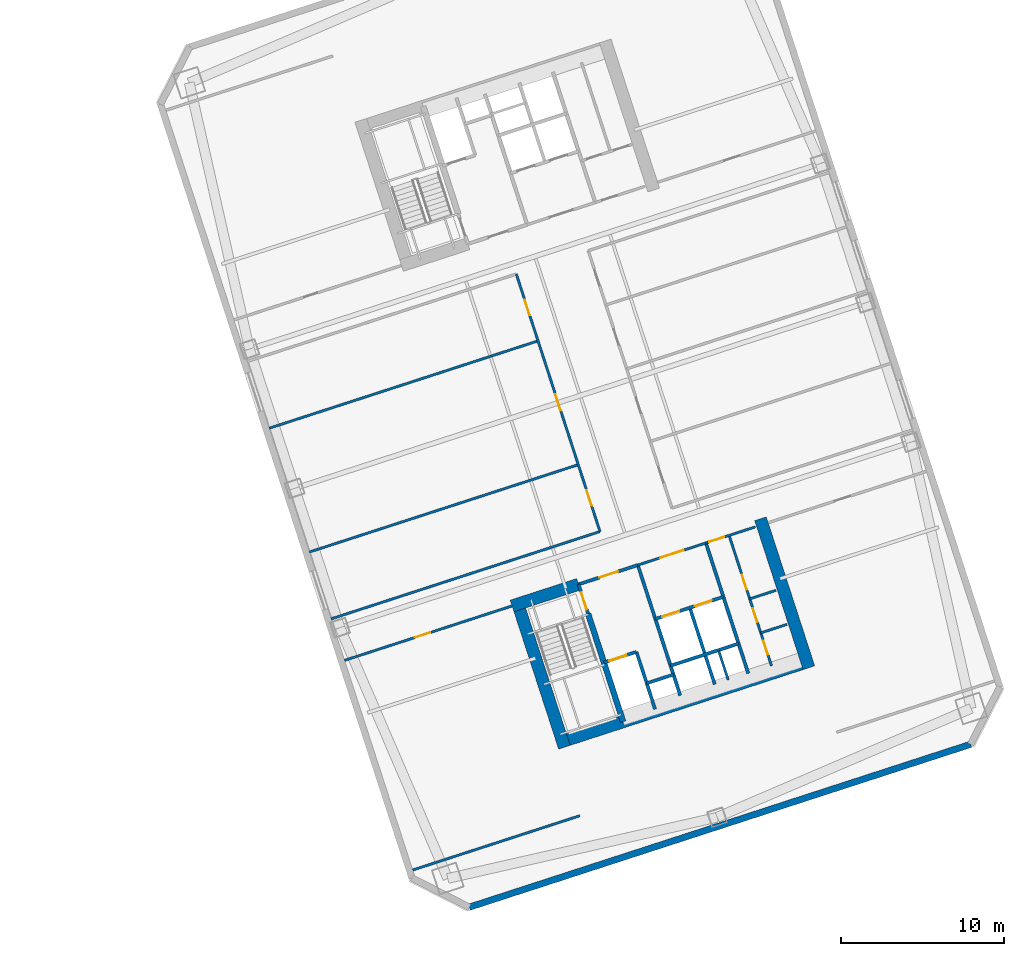
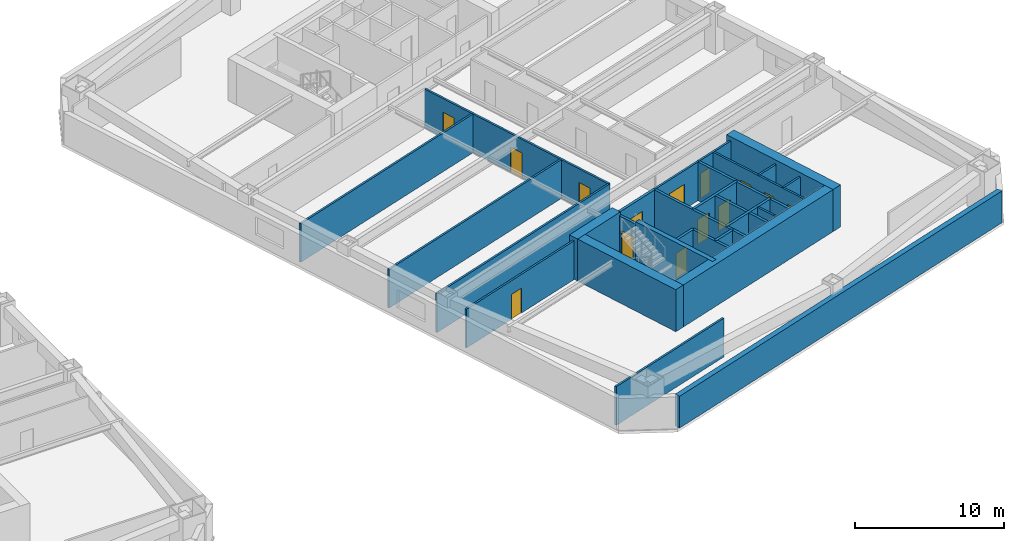
# One storey, part 7 of 11: 28 walls, 14 doors, 14 openings.
"""IFC4 building model written with IfcOpenShell, lengths in metres."""

from ifc_helpers import new_model, si_unit, direction, frame, frame_2d, origin, place, context, subcontext, project, spatial, rectangle, extrude, material, layer, layer_set, type_object, element, fill, save


model = new_model("IFC4")

# Units and contexts
model_context = context("Model", 3, precision=1e-05, world=origin(), true_north=direction((0.0, 1.0)))
body_context = subcontext(model_context, "Body", "Model", "MODEL_VIEW")
ifc_project = project(units=[si_unit("LENGTHUNIT", "METRE"), si_unit("AREAUNIT", "SQUARE_METRE"), si_unit("VOLUMEUNIT", "CUBIC_METRE"), si_unit("PLANEANGLEUNIT", "RADIAN"), si_unit("MASSUNIT", "GRAM", prefix="KILO")], contexts=[model_context])

# Site, building, storey
site_placement = place(None, origin())
site = spatial("IfcSite", under=ifc_project, at=site_placement, CompositionType="ELEMENT")
building_placement = place(site_placement, origin())
building = spatial("IfcBuilding", under=site, at=building_placement, Name="Qiaolan Cultural Towers", CompositionType="ELEMENT")
storey_placement = place(building_placement, frame((0.0, 0.0, 64.39990234375)))
storey = spatial("IfcBuildingStorey", under=building, at=storey_placement, Name="L15", CompositionType="ELEMENT", Elevation=64.39990234375)

# Walls
ifc_material_1 = material(Name="Concrete C50", Category="concrete")
ifc_layer_1 = layer(ifc_material_1, 0.35009765625)
ifc_layer_set_1 = layer_set([ifc_layer_1], Name="Concrete C50")
wall_type_1 = type_object("IfcWallType", Name="WL-CORE-350", PredefinedType="SHEAR", material=ifc_layer_set_1)
wall_1_placement = place(storey_placement, frame((90.486328125, 20.59423828125, 0.0), z_axis=(0.0, 0.0, 1.0), x_axis=(0.309020428229, -0.951055400562, 0.0)))
element("IfcWall", 1, at=wall_1_placement, inside=storey, type_object=wall_type_1, Name="L15 T2-CS Stair Core Dividing Web", PredefinedType="SHEAR", context=body_context, shape_type="SweptSolid", body=[
    extrude(rectangle(XDim=6.97998046875, YDim=0.35009765625, at=frame_2d((3.489990234375, 0.0))), origin(), (0.0, 0.0, 1.0), 3.4501953125),
])
ifc_material_2 = material(Name="Concrete C60", Category="concrete")
ifc_layer_2 = layer(ifc_material_2, 0.75)
ifc_layer_set_2 = layer_set([ifc_layer_2], Name="Concrete C60")
wall_type_2 = type_object("IfcWallType", Name="WL-CORE-750", PredefinedType="SHEAR", material=ifc_layer_set_2)
wall_2_placement = place(storey_placement, frame((88.55859375, 12.628662109375, 0.0), z_axis=(0.0, 0.0, 1.0), x_axis=(0.951056072937, 0.309018358888, 0.0)))
element("IfcWall", 2, at=wall_2_placement, inside=storey, type_object=wall_type_2, Name="L15 T2-CS Outer Core Shear Wall", PredefinedType="SHEAR", context=body_context, shape_type="SweptSolid", body=[
    extrude(rectangle(XDim=16.550048828125, YDim=0.75, at=frame_2d((8.27490234375, 0.0))), origin(), (0.0, 0.0, 1.0), 3.4501953125),
])
wall_3_placement = place(storey_placement, frame((86.05517578125, 21.54638671875, 0.0), z_axis=(0.0, 0.0, 1.0), x_axis=(0.309023585745, -0.951054374604, 0.0)))
element("IfcWall", 3, at=wall_3_placement, inside=storey, type_object=wall_type_2, Name="L15 T2-CS West Core Shear Wall", PredefinedType="SHEAR", context=body_context, shape_type="SweptSolid", body=[
    extrude(rectangle(XDim=9.6298828125, YDim=0.75, at=frame_2d((4.81494140625, 0.0))), origin(), (0.0, 0.0, 1.0), 3.4501953125),
])
wall_4_placement = place(storey_placement, frame((101.08203125, 26.428955078125, 0.0), z_axis=(0.0, 0.0, 1.0), x_axis=(0.309016134813, -0.951056795583, 0.0)))
element("IfcWall", 4, at=wall_4_placement, inside=storey, type_object=wall_type_2, Name="L15 T2-CS East Core Shear Wall", PredefinedType="SHEAR", context=body_context, shape_type="SweptSolid", body=[
    extrude(rectangle(XDim=9.630126953125, YDim=0.75, at=frame_2d((4.81494140625, 0.0))), origin(), (0.0, 0.0, 1.0), 3.4501953125),
])
wall_5_placement = place(storey_placement, frame((85.814453125, 21.073974609375, 0.0), z_axis=(0.0, 0.0, 1.0), x_axis=(0.95106580992, 0.308988390074, 0.0)))
element("IfcWall", 5, at=wall_5_placement, inside=storey, type_object=wall_type_2, Name="L15 T2-CS Stair Front Shear Wall", PredefinedType="SHEAR", context=body_context, shape_type="SweptSolid", body=[
    extrude(rectangle(XDim=4.295166015625, YDim=0.75, at=frame_2d((2.1474609375, 0.0))), origin(), (0.0, 0.0, 1.0), 3.4501953125),
])
ifc_material_3 = material(Name="Precast Concrete C50 Honed Stone Pier", Category="masonry")
ifc_layer_3 = layer(ifc_material_3, 0.39990234375)
ifc_layer_set_3 = layer_set([ifc_layer_3], Name="Precast Concrete C50 Honed Stone Pier")
wall_type_3 = type_object("IfcWallType", Name="WL-EXT-PIER-400", PredefinedType="SOLIDWALL", material=ifc_layer_set_3)
wall_6_placement = place(storey_placement, frame((113.997802734375, 12.566650390625, 0.0), z_axis=(0.0, 0.0, 1.0), x_axis=(-0.951055939317, -0.309018770125, 0.0)))
element("IfcWall", 6, at=wall_6_placement, inside=storey, type_object=wall_type_3, Name="L15 East Tower Precast Pier Facade Wall F7", PredefinedType="SOLIDWALL", context=body_context, shape_type="SweptSolid", body=[
    extrude(rectangle(XDim=32.39990234375, YDim=0.39990234375, at=frame_2d((16.199951171875, 0.0))), origin(), (0.0, 0.0, 1.0), 2.610107421875),
])

# Wall, opening, door
ifc_material_4 = material(Name="Concrete C35 Fire Wall", Category="concrete")
ifc_layer_4 = layer(ifc_material_4, 0.199951171875)
ifc_layer_set_4 = layer_set([ifc_layer_4], Name="Concrete C35 Fire Wall")
wall_type_4 = type_object("IfcWallType", Name="WL-FIRE-200", PredefinedType="PARTITIONING", material=ifc_layer_set_4)
wall_7_placement = place(storey_placement, frame((89.8994140625, 22.401123046875, 0.0), z_axis=(0.0, 0.0, 1.0), x_axis=(0.308932062672, -0.951084108086, 0.0)))
wall_7 = element("IfcWall", 7, at=wall_7_placement, inside=storey, type_object=wall_type_4, Name="L15 T2-CS Smokeproof Stair Entry Wall", PredefinedType="PARTITIONING", context=body_context, shape_type="SweptSolid", body=[
    extrude(rectangle(XDim=1.89990234375, YDim=0.199951171875, at=frame_2d((0.949951171875, 0.0))), origin(), (0.0, 0.0, 1.0), 3.175048828125),
])
opening_1_placement = place(wall_7_placement, frame((0.52001953125, 0.0, 0.0)))
opening_1 = element("IfcOpeningElement", 8, at=opening_1_placement, cuts=wall_7, Name="Opening FD-04", PredefinedType="OPENING", context=body_context, shape_type="SweptSolid", body=[
    extrude(rectangle(XDim=1.10009765625, YDim=2.050048828125, at=frame_2d((0.550048828125, 1.02490234375))), frame((0.0, 0.10986328125, 0.0), z_axis=(0.0, -1.0, 0.0), x_axis=(1.0, 0.0, 0.0)), (0.0, 0.0, 1.0), 0.219970703125),
])
ifc_material_5 = material(Name="Galvanized Steel Command Fire Door", Category="steel")
door_type_1 = type_object("IfcDoorType", Name="DR-FD90-1100", OperationType="NOTDEFINED", PredefinedType="DOOR", material=ifc_material_5)
door_1_placement = place(opening_1_placement, origin())
door_1 = element("IfcDoor", 9, at=door_1_placement, inside=storey, type_object=door_type_1, Name="L15 ST-E1 Smokeproof Stair Fire Door", OperationType="SINGLE_SWING_LEFT", OverallHeight=2.050048828125, OverallWidth=1.10009765625, PredefinedType="DOOR", context=body_context, shape_type="SweptSolid", body=[
    extrude(rectangle(XDim=1.10009765625, YDim=2.050048828125, at=frame_2d((0.550048828125, 1.02490234375))), frame((0.0, 0.02490234375, 0.0), z_axis=(0.0, -1.0, 0.0), x_axis=(1.0, 0.0, 0.0)), (0.0, 0.0, 1.0), 0.050048828125),
])
fill(opening_1, door_1)

# Wall
wall_8_placement = place(storey_placement, frame((93.541748046875, 23.584716796875, 0.0), z_axis=(0.0, 0.0, 1.0), x_axis=(0.309042196757, -0.951048327176, 0.0)))
element("IfcWall", 10, at=wall_8_placement, inside=storey, type_object=wall_type_4, Name="L15 T2-CS Firefighting Zone Wall", PredefinedType="PARTITIONING", context=body_context, shape_type="SweptSolid", body=[
    extrude(rectangle(XDim=8.429931640625, YDim=0.199951171875, at=frame_2d((4.21484375, 0.0))), origin(), (0.0, 0.0, 1.0), 3.175048828125),
])

# Wall, opening, door
wall_9_placement = place(storey_placement, frame((89.8994140625, 22.401123046875, 0.0), z_axis=(0.0, 0.0, 1.0), x_axis=(0.951046716504, 0.309047153403, 0.0)))
wall_9 = element("IfcWall", 11, at=wall_9_placement, inside=storey, type_object=wall_type_4, Name="L15 T2-CS Firefighting Lobby Front Wall", PredefinedType="PARTITIONING", context=body_context, shape_type="SweptSolid", body=[
    extrude(rectangle(XDim=3.829833984375, YDim=0.199951171875, at=frame_2d((1.9150390625, 0.0))), origin(), (0.0, 0.0, 1.0), 3.175048828125),
])
opening_2_placement = place(wall_9_placement, frame((1.35009765625, 0.0, 0.0)))
opening_2 = element("IfcOpeningElement", 12, at=opening_2_placement, cuts=wall_9, Name="Opening FD-03", PredefinedType="OPENING", context=body_context, shape_type="SweptSolid", body=[
    extrude(rectangle(XDim=1.199951171875, YDim=2.050048828125, at=frame_2d((0.60009765625, 1.02490234375))), frame((0.0, 0.10986328125, 0.0), z_axis=(0.0, -1.0, 0.0), x_axis=(1.0, 0.0, 0.0)), (0.0, 0.0, 1.0), 0.219970703125),
])
ifc_material_6 = material(Name="Galvanized Steel Smokeproof Lobby Fire Door", Category="steel")
door_type_2 = type_object("IfcDoorType", Name="DR-FD90-1200", OperationType="NOTDEFINED", PredefinedType="DOOR", material=ifc_material_6)
door_2_placement = place(opening_2_placement, origin())
door_2 = element("IfcDoor", 13, at=door_2_placement, inside=storey, type_object=door_type_2, Name="L15 FFL-E1 Firefighting Lobby Fire Door", OperationType="SINGLE_SWING_LEFT", OverallHeight=2.050048828125, OverallWidth=1.199951171875, PredefinedType="DOOR", context=body_context, shape_type="SweptSolid", body=[
    extrude(rectangle(XDim=1.199951171875, YDim=2.050048828125, at=frame_2d((0.60009765625, 1.02490234375))), frame((0.0, 0.02490234375, 0.0), z_axis=(0.0, -1.0, 0.0), x_axis=(1.0, 0.0, 0.0)), (0.0, 0.0, 1.0), 0.050048828125),
])
fill(opening_2, door_2)

wall_10_placement = place(storey_placement, frame((91.459716796875, 17.598388671875, 0.0), z_axis=(0.0, 0.0, 1.0), x_axis=(0.951062257173, 0.308999325213, 0.0)))
wall_10 = element("IfcWall", 14, at=wall_10_placement, inside=storey, type_object=wall_type_4, Name="L15 T2-CS Firefighting Shaft Front Wall", PredefinedType="PARTITIONING", context=body_context, shape_type="SweptSolid", body=[
    extrude(rectangle(XDim=2.10009765625, YDim=0.199951171875, at=frame_2d((1.050048828125, 0.0))), origin(), (0.0, 0.0, 1.0), 3.175048828125),
])
opening_3_placement = place(wall_10_placement, frame((0.35009765625, 0.0, 0.0)))
opening_3 = element("IfcOpeningElement", 15, at=opening_3_placement, cuts=wall_10, Name="Opening LD-01", PredefinedType="OPENING", context=body_context, shape_type="SweptSolid", body=[
    extrude(rectangle(XDim=1.10009765625, YDim=2.050048828125, at=frame_2d((0.550048828125, 1.02490234375))), frame((0.0, 0.10986328125, 0.0), z_axis=(0.0, -1.0, 0.0), x_axis=(1.0, 0.0, 0.0)), (0.0, 0.0, 1.0), 0.219970703125),
])
ifc_material_7 = material(Name="Brushed Stainless Steel S30408 Centre-Parting Lift Landing Door", Category="steel")
door_type_3 = type_object("IfcDoorType", Name="DR-LIFT-1100", OperationType="NOTDEFINED", PredefinedType="DOOR", material=ifc_material_7)
door_3_placement = place(opening_3_placement, origin())
door_3 = element("IfcDoor", 16, at=door_3_placement, inside=storey, type_object=door_type_3, Name="L15 FFL-E1 Firefighting Lift Landing Door", OperationType="DOUBLE_DOOR_SLIDING", OverallHeight=2.050048828125, OverallWidth=1.10009765625, PredefinedType="DOOR", context=body_context, shape_type="SweptSolid", body=[
    extrude(rectangle(XDim=1.10009765625, YDim=2.050048828125, at=frame_2d((0.550048828125, 1.02490234375))), frame((0.0, 0.02490234375, 0.0), z_axis=(0.0, -1.0, 0.0), x_axis=(1.0, 0.0, 0.0)), (0.0, 0.0, 1.0), 0.050048828125),
])
fill(opening_3, door_3)

# Walls
wall_11_placement = place(storey_placement, frame((93.45703125, 18.247314453125, 0.0), z_axis=(0.0, 0.0, 1.0), x_axis=(0.3089935693, -0.951064127245, 0.0)))
element("IfcWall", 17, at=wall_11_placement, inside=storey, type_object=wall_type_4, Name="L15 T2-CS Firefighting Hoistway East Wall", PredefinedType="PARTITIONING", context=body_context, shape_type="SweptSolid", body=[
    extrude(rectangle(XDim=3.7001953125, YDim=0.199951171875, at=frame_2d((1.85009765625, 0.0))), origin(), (0.0, 0.0, 1.0), 3.175048828125),
])
wall_12_placement = place(storey_placement, frame((94.08447265625, 16.316650390625, 0.0), z_axis=(0.0, 0.0, 1.0), x_axis=(0.951041328149, 0.309063734775, 0.0)))
element("IfcWall", 18, at=wall_12_placement, inside=storey, type_object=wall_type_4, Name="L15 T2-CS Pressurization Shaft Front Wall", PredefinedType="PARTITIONING", context=body_context, shape_type="SweptSolid", body=[
    extrude(rectangle(XDim=1.72998046875, YDim=0.199951171875, at=frame_2d((0.864990234375, 0.0))), origin(), (0.0, 0.0, 1.0), 3.175048828125),
])
wall_13_placement = place(storey_placement, frame((97.7265625, 24.9443359375, 0.0), z_axis=(0.0, 0.0, 1.0), x_axis=(0.309016001439, -0.951056838919, 0.0)))
element("IfcWall", 19, at=wall_13_placement, inside=storey, type_object=wall_type_4, Name="L15 T2-CS Lift Core East Wall", PredefinedType="PARTITIONING", context=body_context, shape_type="SweptSolid", body=[
    extrude(rectangle(XDim=8.429931640625, YDim=0.199951171875, at=frame_2d((4.21484375, 0.0))), origin(), (0.0, 0.0, 1.0), 3.175048828125),
])

# Wall, openings, doors
wall_14_placement = place(storey_placement, frame((94.6171875, 20.275146484375, 0.0), z_axis=(0.0, 0.0, 1.0), x_axis=(0.951058531764, 0.30901079133, 0.0)))
wall_14 = element("IfcWall", 20, at=wall_14_placement, inside=storey, type_object=wall_type_4, Name="L15 T2-CS Passenger Lift Shaft Front Wall", PredefinedType="PARTITIONING", context=body_context, shape_type="SweptSolid", body=[
    extrude(rectangle(XDim=4.39990234375, YDim=0.199951171875, at=frame_2d((2.199951171875, 0.0))), origin(), (0.0, 0.0, 1.0), 3.175048828125),
])
opening_4_placement = place(wall_14_placement, frame((0.449951171875, 0.0, 0.0)))
opening_4 = element("IfcOpeningElement", 21, at=opening_4_placement, cuts=wall_14, Name="Opening LD-01", PredefinedType="OPENING", context=body_context, shape_type="SweptSolid", body=[
    extrude(rectangle(XDim=1.10009765625, YDim=2.050048828125, at=frame_2d((0.550048828125, 1.02490234375))), frame((0.0, 0.10986328125, 0.0), z_axis=(0.0, -1.0, 0.0), x_axis=(1.0, 0.0, 0.0)), (0.0, 0.0, 1.0), 0.219970703125),
])
opening_5_placement = place(wall_14_placement, frame((2.550048828125, 0.0, 0.0)))
opening_5 = element("IfcOpeningElement", 22, at=opening_5_placement, cuts=wall_14, Name="Opening LD-01", PredefinedType="OPENING", context=body_context, shape_type="SweptSolid", body=[
    extrude(rectangle(XDim=1.10009765625, YDim=2.050048828125, at=frame_2d((0.550048828125, 1.02490234375))), frame((0.0, 0.10986328125, 0.0), z_axis=(0.0, -1.0, 0.0), x_axis=(1.0, 0.0, 0.0)), (0.0, 0.0, 1.0), 0.219970703125),
])
door_4_placement = place(opening_4_placement, origin())
door_4 = element("IfcDoor", 23, at=door_4_placement, inside=storey, type_object=door_type_3, Name="L15 Passenger Lift 1 Landing Door", OperationType="DOUBLE_DOOR_SLIDING", OverallHeight=2.050048828125, OverallWidth=1.10009765625, PredefinedType="DOOR", context=body_context, shape_type="SweptSolid", body=[
    extrude(rectangle(XDim=1.10009765625, YDim=2.050048828125, at=frame_2d((0.550048828125, 1.02490234375))), frame((0.0, 0.02490234375, 0.0), z_axis=(0.0, -1.0, 0.0), x_axis=(1.0, 0.0, 0.0)), (0.0, 0.0, 1.0), 0.050048828125),
])
fill(opening_4, door_4)
door_5_placement = place(opening_5_placement, origin())
door_5 = element("IfcDoor", 24, at=door_5_placement, inside=storey, type_object=door_type_3, Name="L15 Passenger Lift 2 Landing Door", OperationType="DOUBLE_DOOR_SLIDING", OverallHeight=2.050048828125, OverallWidth=1.10009765625, PredefinedType="DOOR", context=body_context, shape_type="SweptSolid", body=[
    extrude(rectangle(XDim=1.10009765625, YDim=2.050048828125, at=frame_2d((0.550048828125, 1.02490234375))), frame((0.0, 0.02490234375, 0.0), z_axis=(0.0, -1.0, 0.0), x_axis=(1.0, 0.0, 0.0)), (0.0, 0.0, 1.0), 0.050048828125),
])
fill(opening_5, door_5)

# Walls
wall_15_placement = place(storey_placement, frame((96.738037109375, 20.964111328125, 0.0), z_axis=(0.0, 0.0, 1.0), x_axis=(0.309042578481, -0.951048203135, 0.0)))
element("IfcWall", 25, at=wall_15_placement, inside=storey, type_object=wall_type_4, Name="L15 T2-CS Lift Shaft Divider Wall", PredefinedType="PARTITIONING", context=body_context, shape_type="SweptSolid", body=[
    extrude(rectangle(XDim=4.9501953125, YDim=0.199951171875, at=frame_2d((2.47509765625, 0.0))), origin(), (0.0, 0.0, 1.0), 3.175048828125),
])
wall_16_placement = place(storey_placement, frame((95.550537109375, 17.40283203125, 0.0), z_axis=(0.0, 0.0, 1.0), x_axis=(0.951058531764, 0.30901079133, 0.0)))
element("IfcWall", 26, at=wall_16_placement, inside=storey, type_object=wall_type_4, Name="L15 T2-CS Passenger Lift Shaft Back Wall", PredefinedType="PARTITIONING", context=body_context, shape_type="SweptSolid", body=[
    extrude(rectangle(XDim=4.39990234375, YDim=0.199951171875, at=frame_2d((2.199951171875, 0.0))), origin(), (0.0, 0.0, 1.0), 3.175048828125),
])

# Wall, opening, door
ifc_material_8 = material(Name="Autoclaved Aerated Concrete Block B06", Category="concrete")
ifc_layer_5 = layer(ifc_material_8, 0.14990234375)
ifc_layer_set_5 = layer_set([ifc_layer_5], Name="Autoclaved Aerated Concrete Block B06")
wall_type_5 = type_object("IfcWallType", Name="WL-PART-150", PredefinedType="PARTITIONING", material=ifc_layer_set_5)
wall_17_placement = place(storey_placement, frame((93.541748046875, 23.584716796875, 0.0), z_axis=(0.0, 0.0, 1.0), x_axis=(0.951063829732, 0.308994485023, 0.0)))
wall_17 = element("IfcWall", 27, at=wall_17_placement, inside=storey, type_object=wall_type_5, Name="L15 T2-CS Passenger Lift Lobby Front Wall", PredefinedType="PARTITIONING", context=body_context, shape_type="SweptSolid", body=[
    extrude(rectangle(XDim=4.400146484375, YDim=0.14990234375, at=frame_2d((2.2001953125, 0.0))), origin(), (0.0, 0.0, 1.0), 3.175048828125),
])
opening_6_placement = place(wall_17_placement, frame((1.449951171875, 0.0, 0.0)))
opening_6 = element("IfcOpeningElement", 28, at=opening_6_placement, cuts=wall_17, Name="Opening FD-05", PredefinedType="OPENING", context=body_context, shape_type="SweptSolid", body=[
    extrude(rectangle(XDim=1.5, YDim=2.050048828125, at=frame_2d((0.75, 1.02490234375))), frame((0.0, 0.0849609375, 0.0), z_axis=(0.0, -1.0, 0.0), x_axis=(1.0, 0.0, 0.0)), (0.0, 0.0, 1.0), 0.169921875),
])
ifc_material_9 = material(Name="Painted Steel Lift Lobby Fire Door", Category="steel")
door_type_4 = type_object("IfcDoorType", Name="DR-FD60-1500", OperationType="NOTDEFINED", PredefinedType="DOOR", material=ifc_material_9)
door_6_placement = place(opening_6_placement, origin())
door_6 = element("IfcDoor", 29, at=door_6_placement, inside=storey, type_object=door_type_4, Name="L15 Passenger Lift Lobby Entrance", OperationType="SINGLE_SWING_LEFT", OverallHeight=2.050048828125, OverallWidth=1.5, PredefinedType="DOOR", context=body_context, shape_type="SweptSolid", body=[
    extrude(rectangle(XDim=1.5, YDim=2.050048828125, at=frame_2d((0.75, 1.02490234375))), frame((0.0, 0.02490234375, 0.0), z_axis=(0.0, -1.0, 0.0), x_axis=(1.0, 0.0, 0.0)), (0.0, 0.0, 1.0), 0.050048828125),
])
fill(opening_6, door_6)

# Wall
wall_18_placement = place(storey_placement, frame((98.51416015625, 18.313232421875, 0.0), z_axis=(0.0, 0.0, 1.0), x_axis=(0.309089008895, -0.951033114345, 0.0)))
element("IfcWall", 30, at=wall_18_placement, inside=storey, type_object=wall_type_5, Name="L15 T2-CS Core Rear Asymmetric Wall", PredefinedType="PARTITIONING", context=body_context, shape_type="SweptSolid", body=[
    extrude(rectangle(XDim=1.8798828125, YDim=0.14990234375, at=frame_2d((0.93994140625, 0.0))), origin(), (0.0, 0.0, 1.0), 3.175048828125),
])

# Wall, opening, door
wall_19_placement = place(storey_placement, frame((97.7265625, 24.9443359375, 0.0), z_axis=(0.0, 0.0, 1.0), x_axis=(0.951036872128, 0.309077446369, 0.0)))
wall_19 = element("IfcWall", 31, at=wall_19_placement, inside=storey, type_object=wall_type_5, Name="L15 T2-CS Sanitary Core Front Wall", PredefinedType="PARTITIONING", context=body_context, shape_type="SweptSolid", body=[
    extrude(rectangle(XDim=3.199951171875, YDim=0.14990234375, at=frame_2d((1.60009765625, 0.0))), origin(), (0.0, 0.0, 1.0), 3.175048828125),
])
opening_7_placement = place(wall_19_placement, frame((0.219970703125, 0.0, 0.0)))
opening_7 = element("IfcOpeningElement", 32, at=opening_7_placement, cuts=wall_19, Name="Opening ID-05", PredefinedType="OPENING", context=body_context, shape_type="SweptSolid", body=[
    extrude(rectangle(XDim=0.949951171875, YDim=2.050048828125, at=frame_2d((0.47509765625, 1.02490234375))), frame((0.0, 0.0849609375, 0.0), z_axis=(0.0, -1.0, 0.0), x_axis=(1.0, 0.0, 0.0)), (0.0, 0.0, 1.0), 0.169921875),
])
ifc_material_10 = material(Name="Fire-Rated Laminate Accessible Core Door", Category="timber")
door_type_5 = type_object("IfcDoorType", Name="DR-INT-950", OperationType="NOTDEFINED", PredefinedType="DOOR", material=ifc_material_10)
door_7_placement = place(opening_7_placement, origin())
door_7 = element("IfcDoor", 33, at=door_7_placement, inside=storey, type_object=door_type_5, Name="L15 Sanitary Vestibule Door", OperationType="SINGLE_SWING_LEFT", OverallHeight=2.050048828125, OverallWidth=0.949951171875, PredefinedType="DOOR", context=body_context, shape_type="SweptSolid", body=[
    extrude(rectangle(XDim=0.949951171875, YDim=2.050048828125, at=frame_2d((0.47509765625, 1.02490234375))), frame((0.0, 0.02490234375, 0.0), z_axis=(0.0, -1.0, 0.0), x_axis=(1.0, 0.0, 0.0)), (0.0, 0.0, 1.0), 0.050048828125),
])
fill(opening_7, door_7)

# Wall, openings, doors
wall_20_placement = place(storey_placement, frame((99.153076171875, 25.407958984375, 0.0), z_axis=(0.0, 0.0, 1.0), x_axis=(0.309016001439, -0.951056838919, 0.0)))
wall_20 = element("IfcWall", 34, at=wall_20_placement, inside=storey, type_object=wall_type_5, Name="L15 T2-CS Sanitary Vestibule Wall", PredefinedType="PARTITIONING", context=body_context, shape_type="SweptSolid", body=[
    extrude(rectangle(XDim=8.429931640625, YDim=0.14990234375, at=frame_2d((4.21484375, 0.0))), origin(), (0.0, 0.0, 1.0), 3.175048828125),
])
opening_8_placement = place(wall_20_placement, frame((2.550048828125, 0.0, 0.0)))
opening_8 = element("IfcOpeningElement", 35, at=opening_8_placement, cuts=wall_20, Name="Opening ID-05", PredefinedType="OPENING", context=body_context, shape_type="SweptSolid", body=[
    extrude(rectangle(XDim=0.949951171875, YDim=2.050048828125, at=frame_2d((0.47509765625, 1.02490234375))), frame((0.0, 0.0849609375, 0.0), z_axis=(0.0, -1.0, 0.0), x_axis=(1.0, 0.0, 0.0)), (0.0, 0.0, 1.0), 0.169921875),
])
opening_9_placement = place(wall_20_placement, frame((4.699951171875, 0.0, 0.0)))
opening_9 = element("IfcOpeningElement", 36, at=opening_9_placement, cuts=wall_20, Name="Opening ID-06", PredefinedType="OPENING", context=body_context, shape_type="SweptSolid", body=[
    extrude(rectangle(XDim=0.89990234375, YDim=2.050048828125, at=frame_2d((0.449951171875, 1.02490234375))), frame((0.0, 0.0849609375, 0.0), z_axis=(0.0, -1.0, 0.0), x_axis=(1.0, 0.0, 0.0)), (0.0, 0.0, 1.0), 0.169921875),
])
opening_10_placement = place(wall_20_placement, frame((6.800048828125, 0.0, 0.0)))
opening_10 = element("IfcOpeningElement", 37, at=opening_10_placement, cuts=wall_20, Name="Opening ID-06", PredefinedType="OPENING", context=body_context, shape_type="SweptSolid", body=[
    extrude(rectangle(XDim=0.89990234375, YDim=2.050048828125, at=frame_2d((0.449951171875, 1.02490234375))), frame((0.0, 0.0849609375, 0.0), z_axis=(0.0, -1.0, 0.0), x_axis=(1.0, 0.0, 0.0)), (0.0, 0.0, 1.0), 0.169921875),
])
ifc_material_11 = material(Name="Fire-Rated Laminate Core Service Door", Category="timber")
door_type_6 = type_object("IfcDoorType", Name="DR-INT-900", OperationType="NOTDEFINED", PredefinedType="DOOR", material=ifc_material_11)
door_8_placement = place(opening_9_placement, origin())
door_8 = element("IfcDoor", 38, at=door_8_placement, inside=storey, type_object=door_type_6, Name="L15 Men Washroom Door", OperationType="SINGLE_SWING_LEFT", OverallHeight=2.050048828125, OverallWidth=0.89990234375, PredefinedType="DOOR", context=body_context, shape_type="SweptSolid", body=[
    extrude(rectangle(XDim=0.89990234375, YDim=2.050048828125, at=frame_2d((0.449951171875, 1.02490234375))), frame((0.0, 0.02490234375, 0.0), z_axis=(0.0, -1.0, 0.0), x_axis=(1.0, 0.0, 0.0)), (0.0, 0.0, 1.0), 0.050048828125),
])
fill(opening_9, door_8)
door_9_placement = place(opening_10_placement, origin())
door_9 = element("IfcDoor", 39, at=door_9_placement, inside=storey, type_object=door_type_6, Name="L15 Women Washroom Door", OperationType="SINGLE_SWING_RIGHT", OverallHeight=2.050048828125, OverallWidth=0.89990234375, PredefinedType="DOOR", context=body_context, shape_type="SweptSolid", body=[
    extrude(rectangle(XDim=0.89990234375, YDim=2.050048828125, at=frame_2d((0.449951171875, 1.02490234375))), frame((0.0, 0.02490234375, 0.0), z_axis=(0.0, -1.0, 0.0), x_axis=(1.0, 0.0, 0.0)), (0.0, 0.0, 1.0), 0.050048828125),
])
fill(opening_10, door_9)
door_10_placement = place(opening_8_placement, origin())
door_10 = element("IfcDoor", 40, at=door_10_placement, inside=storey, type_object=door_type_5, Name="L15 Accessible Family Washroom Door", OperationType="SINGLE_SWING_LEFT", OverallHeight=2.050048828125, OverallWidth=0.949951171875, PredefinedType="DOOR", context=body_context, shape_type="SweptSolid", body=[
    extrude(rectangle(XDim=0.949951171875, YDim=2.050048828125, at=frame_2d((0.47509765625, 1.02490234375))), frame((0.0, 0.02490234375, 0.0), z_axis=(0.0, -1.0, 0.0), x_axis=(1.0, 0.0, 0.0)), (0.0, 0.0, 1.0), 0.050048828125),
])
fill(opening_8, door_10)

# Walls
wall_21_placement = place(storey_placement, frame((100.420166015625, 21.508544921875, 0.0), z_axis=(0.0, 0.0, 1.0), x_axis=(0.951040401051, 0.309066587596, 0.0)))
element("IfcWall", 41, at=wall_21_placement, inside=storey, type_object=wall_type_5, Name="L15 T2-CS Restroom Split Wall 1", PredefinedType="PARTITIONING", context=body_context, shape_type="SweptSolid", body=[
    extrude(rectangle(XDim=1.699951171875, YDim=0.14990234375, at=frame_2d((0.85009765625, 0.0))), origin(), (0.0, 0.0, 1.0), 3.175048828125),
])
wall_22_placement = place(storey_placement, frame((101.099853515625, 19.416259765625, 0.0), z_axis=(0.0, 0.0, 1.0), x_axis=(0.951054116971, 0.309024378638, 0.0)))
element("IfcWall", 42, at=wall_22_placement, inside=storey, type_object=wall_type_5, Name="L15 T2-CS Restroom Split Wall 2", PredefinedType="PARTITIONING", context=body_context, shape_type="SweptSolid", body=[
    extrude(rectangle(XDim=1.7001953125, YDim=0.14990234375, at=frame_2d((0.85009765625, 0.0))), origin(), (0.0, 0.0, 1.0), 3.175048828125),
])
wall_23_placement = place(storey_placement, frame((79.70654296875, 4.842041015625, 0.0), z_axis=(0.0, 0.0, 1.0), x_axis=(0.951056658866, 0.309016555588, 0.0)))
element("IfcWall", 43, at=wall_23_placement, inside=storey, type_object=wall_type_5, Name="L15 T2 Flank Wall FLK-SW", PredefinedType="PARTITIONING", context=body_context, shape_type="SweptSolid", body=[
    extrude(rectangle(XDim=10.800048828125, YDim=0.14990234375, at=frame_2d((5.39990234375, 0.0))), origin(), (0.0, 0.0, 1.0), 3.175048828125),
])

# Wall, opening, door
wall_24_placement = place(storey_placement, frame((75.519287109375, 17.728759765625, 0.0), z_axis=(0.0, 0.0, 1.0), x_axis=(0.951056658866, 0.309016555588, 0.0)))
wall_24 = element("IfcWall", 44, at=wall_24_placement, inside=storey, type_object=wall_type_5, Name="L15 T2 Flank Front FLK-SW", PredefinedType="PARTITIONING", context=body_context, shape_type="SweptSolid", body=[
    extrude(rectangle(XDim=10.800048828125, YDim=0.14990234375, at=frame_2d((5.39990234375, 0.0))), origin(), (0.0, 0.0, 1.0), 3.175048828125),
])
opening_11_placement = place(wall_24_placement, frame((4.535888671875, 0.0, 0.0)))
opening_11 = element("IfcOpeningElement", 45, at=opening_11_placement, cuts=wall_24, Name="Opening ID-04", PredefinedType="OPENING", context=body_context, shape_type="SweptSolid", body=[
    extrude(rectangle(XDim=1.0, YDim=2.050048828125, at=frame_2d((0.5, 1.02490234375))), frame((0.0, 0.0849609375, 0.0), z_axis=(0.0, -1.0, 0.0), x_axis=(1.0, 0.0, 0.0)), (0.0, 0.0, 1.0), 0.169921875),
])
ifc_material_12 = material(Name="Oak Veneer Acoustic Office Door", Category="timber")
door_type_7 = type_object("IfcDoorType", Name="DR-INT-1000", OperationType="NOTDEFINED", PredefinedType="DOOR", material=ifc_material_12)
door_11_placement = place(opening_11_placement, origin())
door_11 = element("IfcDoor", 46, at=door_11_placement, inside=storey, type_object=door_type_7, Name="L15 T2 Corner Studio Door", OperationType="SINGLE_SWING_LEFT", OverallHeight=2.050048828125, OverallWidth=1.0, PredefinedType="DOOR", context=body_context, shape_type="SweptSolid", body=[
    extrude(rectangle(XDim=1.0, YDim=2.050048828125, at=frame_2d((0.5, 1.02490234375))), frame((0.0, 0.02490234375, 0.0), z_axis=(0.0, -1.0, 0.0), x_axis=(1.0, 0.0, 0.0)), (0.0, 0.0, 1.0), 0.050048828125),
])
fill(opening_11, door_11)

# Wall
wall_25_placement = place(storey_placement, frame((74.691162109375, 20.277587890625, 0.0), z_axis=(0.0, 0.0, 1.0), x_axis=(0.951053169828, 0.309027293551, 0.0)))
element("IfcWall", 47, at=wall_25_placement, inside=storey, type_object=wall_type_5, Name="L15 T2 South Corridor Left Wall", PredefinedType="PARTITIONING", context=body_context, shape_type="SweptSolid", body=[
    extrude(rectangle(XDim=17.375, YDim=0.14990234375, at=frame_2d((8.6875, 0.0))), origin(), (0.0, 0.0, 1.0), 3.175048828125),
])

# Wall, openings, doors
wall_26_placement = place(storey_placement, frame((91.2158203125, 25.64697265625, 0.0), z_axis=(0.0, 0.0, 1.0), x_axis=(-0.309022042254, 0.951054876125, 0.0)))
wall_26 = element("IfcWall", 48, at=wall_26_placement, inside=storey, type_object=wall_type_5, Name="L15 T2 West Spine Wall", PredefinedType="PARTITIONING", context=body_context, shape_type="SweptSolid", body=[
    extrude(rectangle(XDim=16.639892578125, YDim=0.14990234375, at=frame_2d((8.31982421875, 0.0))), origin(), (0.0, 0.0, 1.0), 3.175048828125),
])
opening_12_placement = place(wall_26_placement, frame((1.659912109375, 0.0, 0.0)))
opening_12 = element("IfcOpeningElement", 49, at=opening_12_placement, cuts=wall_26, Name="Opening ID-04", PredefinedType="OPENING", context=body_context, shape_type="SweptSolid", body=[
    extrude(rectangle(XDim=1.0, YDim=2.050048828125, at=frame_2d((0.5, 1.02490234375))), frame((0.0, 0.0849609375, 0.0), z_axis=(0.0, -1.0, 0.0), x_axis=(1.0, 0.0, 0.0)), (0.0, 0.0, 1.0), 0.169921875),
])
opening_13_placement = place(wall_26_placement, frame((7.820068359375, 0.0, 0.0)))
opening_13 = element("IfcOpeningElement", 50, at=opening_13_placement, cuts=wall_26, Name="Opening ID-07", PredefinedType="OPENING", context=body_context, shape_type="SweptSolid", body=[
    extrude(rectangle(XDim=1.050048828125, YDim=2.050048828125, at=frame_2d((0.52490234375, 1.02490234375))), frame((0.0, 0.0849609375, 0.0), z_axis=(0.0, -1.0, 0.0), x_axis=(1.0, 0.0, 0.0)), (0.0, 0.0, 1.0), 0.169921875),
])
opening_14_placement = place(wall_26_placement, frame((13.97998046875, 0.0, 0.0)))
opening_14 = element("IfcOpeningElement", 51, at=opening_14_placement, cuts=wall_26, Name="Opening ID-04", PredefinedType="OPENING", context=body_context, shape_type="SweptSolid", body=[
    extrude(rectangle(XDim=1.0, YDim=2.050048828125, at=frame_2d((0.5, 1.02490234375))), frame((0.0, 0.0849609375, 0.0), z_axis=(0.0, -1.0, 0.0), x_axis=(1.0, 0.0, 0.0)), (0.0, 0.0, 1.0), 0.169921875),
])
door_12_placement = place(opening_12_placement, origin())
door_12 = element("IfcDoor", 52, at=door_12_placement, inside=storey, type_object=door_type_7, Name="L15 T2 Staff Dining Kitchen Door", OperationType="SINGLE_SWING_LEFT", OverallHeight=2.050048828125, OverallWidth=1.0, PredefinedType="DOOR", context=body_context, shape_type="SweptSolid", body=[
    extrude(rectangle(XDim=1.0, YDim=2.050048828125, at=frame_2d((0.5, 1.02490234375))), frame((0.0, 0.02490234375, 0.0), z_axis=(0.0, -1.0, 0.0), x_axis=(1.0, 0.0, 0.0)), (0.0, 0.0, 1.0), 0.050048828125),
])
fill(opening_12, door_12)
door_13_placement = place(opening_14_placement, origin())
door_13 = element("IfcDoor", 53, at=door_13_placement, inside=storey, type_object=door_type_7, Name="L15 T2 Staff Dining Kitchen Door", OperationType="SINGLE_SWING_LEFT", OverallHeight=2.050048828125, OverallWidth=1.0, PredefinedType="DOOR", context=body_context, shape_type="SweptSolid", body=[
    extrude(rectangle(XDim=1.0, YDim=2.050048828125, at=frame_2d((0.5, 1.02490234375))), frame((0.0, 0.02490234375, 0.0), z_axis=(0.0, -1.0, 0.0), x_axis=(1.0, 0.0, 0.0)), (0.0, 0.0, 1.0), 0.050048828125),
])
fill(opening_14, door_13)
ifc_material_13 = material(Name="Oak Veneer Consultation Door", Category="timber")
door_type_8 = type_object("IfcDoorType", Name="DR-INT-1050", OperationType="NOTDEFINED", PredefinedType="DOOR", material=ifc_material_13)
door_14_placement = place(opening_13_placement, origin())
door_14 = element("IfcDoor", 54, at=door_14_placement, inside=storey, type_object=door_type_8, Name="L15 T2 Staff Dining Kitchen Door", OperationType="SINGLE_SWING_RIGHT", OverallHeight=2.050048828125, OverallWidth=1.050048828125, PredefinedType="DOOR", context=body_context, shape_type="SweptSolid", body=[
    extrude(rectangle(XDim=1.050048828125, YDim=2.050048828125, at=frame_2d((0.52490234375, 1.02490234375))), frame((0.0, 0.02490234375, 0.0), z_axis=(0.0, -1.0, 0.0), x_axis=(1.0, 0.0, 0.0)), (0.0, 0.0, 1.0), 0.050048828125),
])
fill(opening_13, door_14)

# Walls
for number, where, z_axis, x_axis, name in (
    (55, (73.356201171875, 24.38623046875, 0.0), (0.0, 0.0, 1.0), (0.951057299418, 0.309014584159, 0.0), "L15 T2 West Partition 1"),
    (56, (70.884033203125, 31.99462890625, 0.0), (0.0, 0.0, 1.0), (0.951057299418, 0.309014584159, 0.0), "L15 T2 West Partition 2"),
):
    element("IfcWall", number, at=place(storey_placement, frame(where, z_axis=z_axis, x_axis=x_axis)), inside=storey, type_object=wall_type_5, Name=name, PredefinedType="PARTITIONING", context=body_context, shape_type="SweptSolid", body=[
        extrude(rectangle(XDim=17.375, YDim=0.14990234375, at=frame_2d((8.6875, 0.0))), origin(), (0.0, 0.0, 1.0), 3.175048828125),
    ])

save(model, "model.ifc")
